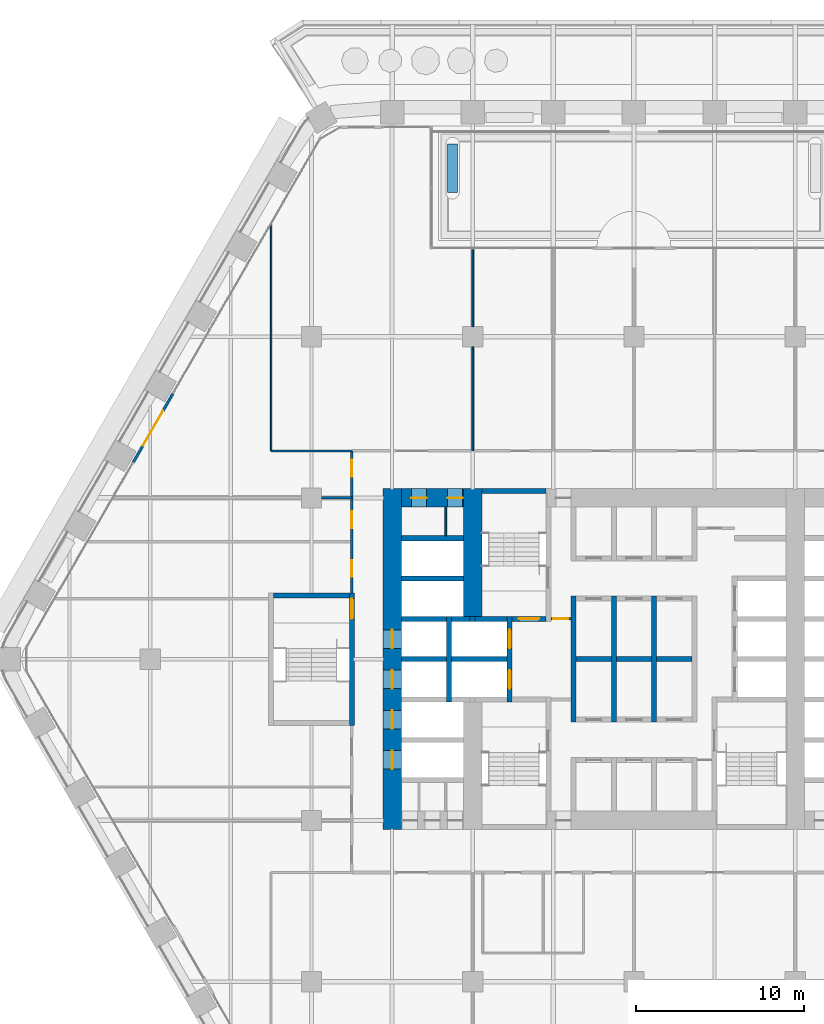
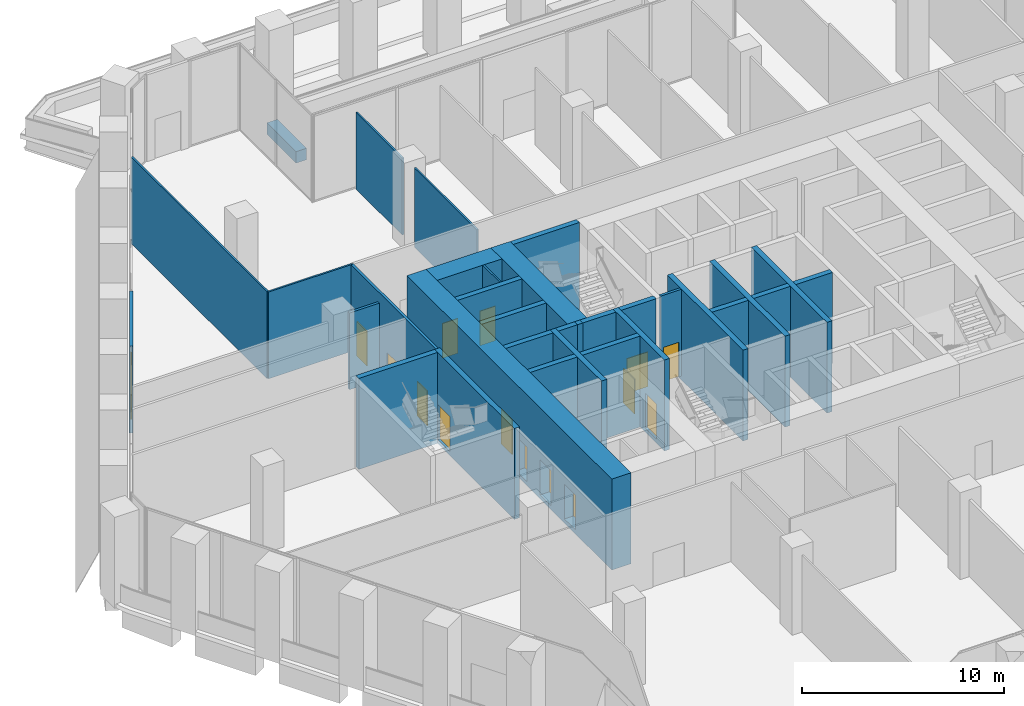
# One storey, part 21 of 30: 33 walls, 15 doors, 15 openings.
"""IFC4 building model written with IfcOpenShell, lengths in metres."""

from ifc_helpers import new_model, si_unit, direction, frame, frame_2d, origin, place, context, subcontext, project, spatial, rectangle, extrude, material, layer, layer_set, type_object, element, fill, save


model = new_model("IFC4")

# Units and contexts
model_context = context("Model", 3, precision=1e-05, world=origin(), true_north=direction((0.0, 1.0)))
body_context = subcontext(model_context, "Body", "Model", "MODEL_VIEW")
ifc_project = project(units=[si_unit("LENGTHUNIT", "METRE"), si_unit("AREAUNIT", "SQUARE_METRE"), si_unit("VOLUMEUNIT", "CUBIC_METRE"), si_unit("PLANEANGLEUNIT", "RADIAN"), si_unit("MASSUNIT", "GRAM", prefix="KILO")], contexts=[model_context])

# Site, building, storey
site_placement = place(None, origin())
site = spatial("IfcSite", under=ifc_project, at=site_placement, CompositionType="ELEMENT")
building_placement = place(site_placement, origin())
building = spatial("IfcBuilding", under=site, at=building_placement, Name="Kolab Exchange Tower", CompositionType="ELEMENT")
storey_placement = place(building_placement, frame((0.0, 0.0, 38.89990234375)))
storey = spatial("IfcBuildingStorey", under=building, at=storey_placement, Name="L07", CompositionType="ELEMENT", Elevation=38.89990234375)

# Wall, openings, doors
ifc_material_1 = material(Name="Concrete C80/95", Category="concrete")
ifc_layer_1 = layer(ifc_material_1, 1.10009765625)
ifc_layer_set_1 = layer_set([ifc_layer_1], Name="Concrete C80/95")
wall_type_1 = type_object("IfcWallType", Name="CORE WALL 1100 C80/95", PredefinedType="SHEAR", material=ifc_layer_set_1)
wall_1_placement = place(storey_placement, frame((-13.85009765625, 9.60009765625, -0.25), z_axis=(0.0, 0.0, 1.0), x_axis=(1.0, 0.0, 0.0)))
wall_1 = element("IfcWall", 1, at=wall_1_placement, inside=storey, type_object=wall_type_1, Name="wall/L07/core/051", PredefinedType="SHEAR", context=body_context, shape_type="SweptSolid", body=[
    extrude(rectangle(XDim=3.7001953125, YDim=1.10009765625, at=frame_2d((1.85009765625, 0.0))), origin(), (0.0, 0.0, 1.0), 5.5),
])
opening_1_placement = place(wall_1_placement, frame((0.60009765625, 0.0, 0.25)))
opening_1 = element("IfcOpeningElement", 2, at=opening_1_placement, cuts=wall_1, Name="Opening D6-108", PredefinedType="OPENING", context=body_context, shape_type="SweptSolid", body=[
    extrude(rectangle(XDim=0.89990234375, YDim=2.10009765625, at=frame_2d((0.449951171875, 1.050048828125))), frame((0.0, 0.56005859375, 0.0), z_axis=(0.0, -1.0, 0.0), x_axis=(1.0, 0.0, 0.0)), (0.0, 0.0, 1.0), 1.1201171875),
])
opening_2_placement = place(wall_1_placement, frame((2.75, 0.0, 0.25)))
opening_2 = element("IfcOpeningElement", 3, at=opening_2_placement, cuts=wall_1, Name="Opening D6-109", PredefinedType="OPENING", context=body_context, shape_type="SweptSolid", body=[
    extrude(rectangle(XDim=0.89990234375, YDim=2.10009765625, at=frame_2d((0.449951171875, 1.050048828125))), frame((0.0, 0.56005859375, 0.0), z_axis=(0.0, -1.0, 0.0), x_axis=(1.0, 0.0, 0.0)), (0.0, 0.0, 1.0), 1.1201171875),
])
ifc_material_2 = material(Name="Steel S235", Category="steel")
door_type_1 = type_object("IfcDoorType", Name="CORE DOOR 900 EI 120", OperationType="SINGLE_SWING_LEFT", PredefinedType="DOOR", material=ifc_material_2)
door_1_placement = place(opening_1_placement, frame((0.89990234375, 0.0, 0.0), z_axis=(0.0, 0.0, 1.0), x_axis=(-1.0, 0.0, 0.0)))
door_1 = element("IfcDoor", 4, at=door_1_placement, inside=storey, type_object=door_type_1, Name="Service room door", OperationType="SINGLE_SWING_RIGHT", OverallHeight=2.10009765625, OverallWidth=0.89990234375, PredefinedType="DOOR", context=body_context, shape_type="SweptSolid", body=[
    extrude(rectangle(XDim=0.89990234375, YDim=2.10009765625, at=frame_2d((0.449951171875, 1.050048828125))), frame((0.0, 0.02490234375, 0.0), z_axis=(0.0, -1.0, 0.0), x_axis=(1.0, 0.0, 0.0)), (0.0, 0.0, 1.0), 0.050048828125),
])
fill(opening_1, door_1)
door_2_placement = place(opening_2_placement, frame((0.89990234375, 0.0, 0.0), z_axis=(0.0, 0.0, 1.0), x_axis=(-1.0, 0.0, 0.0)))
door_2 = element("IfcDoor", 5, at=door_2_placement, inside=storey, type_object=door_type_1, Name="Service room door", OperationType="SINGLE_SWING_LEFT", OverallHeight=2.10009765625, OverallWidth=0.89990234375, PredefinedType="DOOR", context=body_context, shape_type="SweptSolid", body=[
    extrude(rectangle(XDim=0.89990234375, YDim=2.10009765625, at=frame_2d((0.449951171875, 1.050048828125))), frame((0.0, 0.02490234375, 0.0), z_axis=(0.0, -1.0, 0.0), x_axis=(1.0, 0.0, 0.0)), (0.0, 0.0, 1.0), 0.050048828125),
])
fill(opening_2, door_2)

wall_2_placement = place(storey_placement, frame((-14.39990234375, -10.14990234375, -0.25), z_axis=(0.0, 0.0, 1.0), x_axis=(0.0, 1.0, 0.0)))
wall_2 = element("IfcWall", 6, at=wall_2_placement, inside=storey, type_object=wall_type_1, Name="wall/L07/core/057", PredefinedType="SHEAR", context=body_context, shape_type="SweptSolid", body=[
    extrude(rectangle(XDim=20.2998046875, YDim=1.10009765625, at=frame_2d((10.14990234375, 0.0))), origin(), (0.0, 0.0, 1.0), 5.5),
])
opening_3_placement = place(wall_2_placement, frame((3.60009765625, 0.0, 0.25)))
opening_3 = element("IfcOpeningElement", 7, at=opening_3_placement, cuts=wall_2, Name="Opening LD1-041", PredefinedType="OPENING", context=body_context, shape_type="SweptSolid", body=[
    extrude(rectangle(XDim=1.10009765625, YDim=2.10009765625, at=frame_2d((0.550048828125, 1.050048828125))), frame((0.0, 0.56005859375, 0.0), z_axis=(0.0, -1.0, 0.0), x_axis=(1.0, 0.0, 0.0)), (0.0, 0.0, 1.0), 1.1201171875),
])
opening_4_placement = place(wall_2_placement, frame((6.0, 0.0, 0.25)))
opening_4 = element("IfcOpeningElement", 8, at=opening_4_placement, cuts=wall_2, Name="Opening LD1-042", PredefinedType="OPENING", context=body_context, shape_type="SweptSolid", body=[
    extrude(rectangle(XDim=1.10009765625, YDim=2.10009765625, at=frame_2d((0.550048828125, 1.050048828125))), frame((0.0, 0.56005859375, 0.0), z_axis=(0.0, -1.0, 0.0), x_axis=(1.0, 0.0, 0.0)), (0.0, 0.0, 1.0), 1.1201171875),
])
opening_5_placement = place(wall_2_placement, frame((8.39990234375, 0.0, 0.25)))
opening_5 = element("IfcOpeningElement", 9, at=opening_5_placement, cuts=wall_2, Name="Opening LD1-043", PredefinedType="OPENING", context=body_context, shape_type="SweptSolid", body=[
    extrude(rectangle(XDim=1.10009765625, YDim=2.10009765625, at=frame_2d((0.550048828125, 1.050048828125))), frame((0.0, 0.56005859375, 0.0), z_axis=(0.0, -1.0, 0.0), x_axis=(1.0, 0.0, 0.0)), (0.0, 0.0, 1.0), 1.1201171875),
])
opening_6_placement = place(wall_2_placement, frame((10.800048828125, 0.0, 0.25)))
opening_6 = element("IfcOpeningElement", 10, at=opening_6_placement, cuts=wall_2, Name="Opening LD1-044", PredefinedType="OPENING", context=body_context, shape_type="SweptSolid", body=[
    extrude(rectangle(XDim=1.10009765625, YDim=2.10009765625, at=frame_2d((0.550048828125, 1.050048828125))), frame((0.0, 0.56005859375, 0.0), z_axis=(0.0, -1.0, 0.0), x_axis=(1.0, 0.0, 0.0)), (0.0, 0.0, 1.0), 1.1201171875),
])
ifc_material_3 = material(Name="Stainless steel 316", Category="steel")
door_type_2 = type_object("IfcDoorType", Name="LANDING DOOR 1100 PASSENGER", OperationType="DOUBLE_DOOR_SLIDING", PredefinedType="DOOR", material=ifc_material_3)
door_3_placement = place(opening_3_placement, origin())
door_3 = element("IfcDoor", 11, at=door_3_placement, inside=storey, type_object=door_type_2, Name="Landing door LR5", OperationType="DOUBLE_DOOR_SLIDING", OverallHeight=2.10009765625, OverallWidth=1.10009765625, PredefinedType="DOOR", context=body_context, shape_type="SweptSolid", body=[
    extrude(rectangle(XDim=1.10009765625, YDim=2.10009765625, at=frame_2d((0.550048828125, 1.050048828125))), frame((0.0, 0.02490234375, 0.0), z_axis=(0.0, -1.0, 0.0), x_axis=(1.0, 0.0, 0.0)), (0.0, 0.0, 1.0), 0.050048828125),
])
fill(opening_3, door_3)
door_4_placement = place(opening_4_placement, origin())
door_4 = element("IfcDoor", 12, at=door_4_placement, inside=storey, type_object=door_type_2, Name="Landing door LR6", OperationType="DOUBLE_DOOR_SLIDING", OverallHeight=2.10009765625, OverallWidth=1.10009765625, PredefinedType="DOOR", context=body_context, shape_type="SweptSolid", body=[
    extrude(rectangle(XDim=1.10009765625, YDim=2.10009765625, at=frame_2d((0.550048828125, 1.050048828125))), frame((0.0, 0.02490234375, 0.0), z_axis=(0.0, -1.0, 0.0), x_axis=(1.0, 0.0, 0.0)), (0.0, 0.0, 1.0), 0.050048828125),
])
fill(opening_4, door_4)
door_5_placement = place(opening_5_placement, origin())
door_5 = element("IfcDoor", 13, at=door_5_placement, inside=storey, type_object=door_type_2, Name="Landing door LR7", OperationType="DOUBLE_DOOR_SLIDING", OverallHeight=2.10009765625, OverallWidth=1.10009765625, PredefinedType="DOOR", context=body_context, shape_type="SweptSolid", body=[
    extrude(rectangle(XDim=1.10009765625, YDim=2.10009765625, at=frame_2d((0.550048828125, 1.050048828125))), frame((0.0, 0.02490234375, 0.0), z_axis=(0.0, -1.0, 0.0), x_axis=(1.0, 0.0, 0.0)), (0.0, 0.0, 1.0), 0.050048828125),
])
fill(opening_5, door_5)
door_6_placement = place(opening_6_placement, origin())
door_6 = element("IfcDoor", 14, at=door_6_placement, inside=storey, type_object=door_type_2, Name="Landing door LR8", OperationType="DOUBLE_DOOR_SLIDING", OverallHeight=2.10009765625, OverallWidth=1.10009765625, PredefinedType="DOOR", context=body_context, shape_type="SweptSolid", body=[
    extrude(rectangle(XDim=1.10009765625, YDim=2.10009765625, at=frame_2d((0.550048828125, 1.050048828125))), frame((0.0, 0.02490234375, 0.0), z_axis=(0.0, -1.0, 0.0), x_axis=(1.0, 0.0, 0.0)), (0.0, 0.0, 1.0), 0.050048828125),
])
fill(opening_6, door_6)

# Wall
wall_3_placement = place(storey_placement, frame((-9.60009765625, 2.550048828125, -0.25), z_axis=(0.0, 0.0, 1.0), x_axis=(0.0, 1.0, 0.0)))
element("IfcWall", 15, at=wall_3_placement, inside=storey, type_object=wall_type_1, Name="wall/L07/core/062", PredefinedType="SHEAR", context=body_context, shape_type="SweptSolid", body=[
    extrude(rectangle(XDim=7.599853515625, YDim=1.10009765625, at=frame_2d((3.7998046875, 0.0))), origin(), (0.0, 0.0, 1.0), 5.5),
])

# Wall, opening, door
ifc_material_4 = material(Name="Aluminium EN AW-6063 T6", Category="aluminium")
ifc_layer_2 = layer(ifc_material_4, 0.159912109375)
ifc_layer_set_2 = layer_set([ifc_layer_2], Name="Aluminium EN AW-6063 T6")
wall_type_2 = type_object("IfcWallType", Name="DOOR SURROUND WALL 160 ALUMINIUM FRAMED", PredefinedType="PARTITIONING", material=ifc_layer_set_2)
wall_4_placement = place(storey_placement, frame((-29.816650390625, 11.706787109375, 0.0), z_axis=(0.0, 0.0, 1.0), x_axis=(0.499978080042, 0.866038058908, 0.0)))
wall_4 = element("IfcWall", 16, at=wall_4_placement, inside=storey, type_object=wall_type_2, Name="Door surround wall", PredefinedType="PARTITIONING", context=body_context, shape_type="SweptSolid", body=[
    extrude(rectangle(XDim=4.739990234375, YDim=0.159912109375, at=frame_2d((2.3701171875, 0.0))), origin(), (0.0, 0.0, 1.0), 5.25),
])
opening_7_placement = place(wall_4_placement, frame((1.169921875, 0.0, 0.0)))
opening_7 = element("IfcOpeningElement", 17, at=opening_7_placement, cuts=wall_4, Name="Opening GD1-022", PredefinedType="OPENING", context=body_context, shape_type="SweptSolid", body=[
    extrude(rectangle(XDim=2.39990234375, YDim=2.39990234375, at=frame_2d((1.199951171875, 1.199951171875))), frame((0.0, 0.08984375, 0.0), z_axis=(0.0, -1.0, 0.0), x_axis=(1.0, 0.0, 0.0)), (0.0, 0.0, 1.0), 0.179931640625),
])
door_type_3 = type_object("IfcDoorType", Name="LOGGIA SLIDING GLASS DOOR 2400 X 2400", OperationType="DOUBLE_DOOR_SINGLE_SWING", PredefinedType="DOOR", material=ifc_material_4)
door_7_placement = place(opening_7_placement, origin())
door_7 = element("IfcDoor", 18, at=door_7_placement, inside=storey, type_object=door_type_3, Name="Loggia door", OperationType="DOUBLE_DOOR_SLIDING", OverallHeight=2.39990234375, OverallWidth=2.39990234375, PredefinedType="DOOR", context=body_context, shape_type="SweptSolid", body=[
    extrude(rectangle(XDim=2.39990234375, YDim=2.39990234375, at=frame_2d((1.199951171875, 1.199951171875))), frame((0.0, 0.02490234375, 0.0), z_axis=(0.0, -1.0, 0.0), x_axis=(1.0, 0.0, 0.0)), (0.0, 0.0, 1.0), 0.050048828125),
])
fill(opening_7, door_7)

# Walls
ifc_material_5 = material(Name="Concrete C50/60", Category="concrete")
ifc_layer_3 = layer(ifc_material_5, 0.300048828125)
ifc_layer_set_3 = layer_set([ifc_layer_3], Name="Concrete C50/60")
wall_type_3 = type_object("IfcWallType", Name="LIFT SHAFT WALL 300 C50/60", PredefinedType="STANDARD", material=ifc_layer_set_3)
wall_5_placement = place(storey_placement, frame((-13.85009765625, 0.0, -0.25), z_axis=(0.0, 0.0, 1.0), x_axis=(1.0, 0.0, 0.0)))
element("IfcWall", 19, at=wall_5_placement, inside=storey, type_object=wall_type_3, Name="wall/L07/core/024", PredefinedType="STANDARD", context=body_context, shape_type="SweptSolid", body=[
    extrude(rectangle(XDim=2.7001953125, YDim=0.300048828125, at=frame_2d((1.35009765625, 0.0))), origin(), (0.0, 0.0, 1.0), 5.5),
])
wall_6_placement = place(storey_placement, frame((-10.85009765625, 0.0, -0.25), z_axis=(0.0, 0.0, 1.0), x_axis=(1.0, 0.0, 0.0)))
element("IfcWall", 20, at=wall_6_placement, inside=storey, type_object=wall_type_3, Name="wall/L07/core/025", PredefinedType="STANDARD", context=body_context, shape_type="SweptSolid", body=[
    extrude(rectangle(XDim=3.300048828125, YDim=0.300048828125, at=frame_2d((1.64990234375, 0.0))), origin(), (0.0, 0.0, 1.0), 5.5),
])
wall_7_placement = place(storey_placement, frame((-3.449951171875, 0.0, -0.25), z_axis=(0.0, 0.0, 1.0), x_axis=(1.0, 0.0, 0.0)))
element("IfcWall", 21, at=wall_7_placement, inside=storey, type_object=wall_type_3, Name="wall/L07/core/026", PredefinedType="STANDARD", context=body_context, shape_type="SweptSolid", body=[
    extrude(rectangle(XDim=2.099853515625, YDim=0.300048828125, at=frame_2d((1.0498046875, 0.0))), origin(), (0.0, 0.0, 1.0), 5.5),
])
wall_8_placement = place(storey_placement, frame((-1.050048828125, 0.0, -0.25), z_axis=(0.0, 0.0, 1.0), x_axis=(1.0, 0.0, 0.0)))
element("IfcWall", 22, at=wall_8_placement, inside=storey, type_object=wall_type_3, Name="wall/L07/core/027", PredefinedType="STANDARD", context=body_context, shape_type="SweptSolid", body=[
    extrude(rectangle(XDim=2.10009765625, YDim=0.300048828125, at=frame_2d((1.050048828125, 0.0))), origin(), (0.0, 0.0, 1.0), 5.5),
])
wall_9_placement = place(storey_placement, frame((1.35009765625, 0.0, -0.25), z_axis=(0.0, 0.0, 1.0), x_axis=(1.0, 0.0, 0.0)))
element("IfcWall", 23, at=wall_9_placement, inside=storey, type_object=wall_type_3, Name="wall/L07/core/028", PredefinedType="STANDARD", context=body_context, shape_type="SweptSolid", body=[
    extrude(rectangle(XDim=2.099853515625, YDim=0.300048828125, at=frame_2d((1.0498046875, 0.0))), origin(), (0.0, 0.0, 1.0), 5.5),
])
wall_10_placement = place(storey_placement, frame((-13.85009765625, 2.39990234375, -0.25), z_axis=(0.0, 0.0, 1.0), x_axis=(1.0, 0.0, 0.0)))
element("IfcWall", 24, at=wall_10_placement, inside=storey, type_object=wall_type_3, Name="wall/L07/core/031", PredefinedType="STANDARD", context=body_context, shape_type="SweptSolid", body=[
    extrude(rectangle(XDim=2.7001953125, YDim=0.300048828125, at=frame_2d((1.35009765625, 0.0))), origin(), (0.0, 0.0, 1.0), 5.5),
])
wall_11_placement = place(storey_placement, frame((-10.85009765625, 2.39990234375, -0.25), z_axis=(0.0, 0.0, 1.0), x_axis=(1.0, 0.0, 0.0)))
element("IfcWall", 25, at=wall_11_placement, inside=storey, type_object=wall_type_3, Name="wall/L07/core/032", PredefinedType="STANDARD", context=body_context, shape_type="SweptSolid", body=[
    extrude(rectangle(XDim=1.10009765625, YDim=0.300048828125, at=frame_2d((0.550048828125, 0.0))), origin(), (0.0, 0.0, 1.0), 5.5),
])
for number, where, z_axis, x_axis, name in (
    (26, (-13.85009765625, 4.800048828125, -0.25), (0.0, 0.0, 1.0), (1.0, 0.0, 0.0), "wall/L07/core/042"),
    (27, (-13.85009765625, 7.199951171875, -0.25), (0.0, 0.0, 1.0), (1.0, 0.0, 0.0), "wall/L07/core/048"),
):
    element("IfcWall", number, at=place(storey_placement, frame(where, z_axis=z_axis, x_axis=x_axis)), inside=storey, type_object=wall_type_3, Name=name, PredefinedType="STANDARD", context=body_context, shape_type="SweptSolid", body=[
        extrude(rectangle(XDim=3.7001953125, YDim=0.300048828125, at=frame_2d((1.85009765625, 0.0))), origin(), (0.0, 0.0, 1.0), 5.5),
    ])
wall_12_placement = place(storey_placement, frame((-11.0, -2.550048828125, -0.25), z_axis=(0.0, 0.0, 1.0), x_axis=(0.0, 1.0, 0.0)))
element("IfcWall", 28, at=wall_12_placement, inside=storey, type_object=wall_type_3, Name="wall/L07/core/058", PredefinedType="STANDARD", context=body_context, shape_type="SweptSolid", body=[
    extrude(rectangle(XDim=5.10009765625, YDim=0.300048828125, at=frame_2d((2.550048828125, 0.0))), origin(), (0.0, 0.0, 1.0), 5.5),
])

# Wall, openings, doors
wall_13_placement = place(storey_placement, frame((-7.39990234375, -2.550048828125, -0.25), z_axis=(0.0, 0.0, 1.0), x_axis=(0.0, 1.0, 0.0)))
wall_13 = element("IfcWall", 29, at=wall_13_placement, inside=storey, type_object=wall_type_3, Name="wall/L07/core/063", PredefinedType="STANDARD", context=body_context, shape_type="SweptSolid", body=[
    extrude(rectangle(XDim=5.10009765625, YDim=0.300048828125, at=frame_2d((2.550048828125, 0.0))), origin(), (0.0, 0.0, 1.0), 5.5),
])
opening_8_placement = place(wall_13_placement, frame((0.800048828125, 0.0, 0.25)))
opening_8 = element("IfcOpeningElement", 30, at=opening_8_placement, cuts=wall_13, Name="Opening LD2-009", PredefinedType="OPENING", context=body_context, shape_type="SweptSolid", body=[
    extrude(rectangle(XDim=1.10009765625, YDim=2.10009765625, at=frame_2d((0.550048828125, 1.050048828125))), frame((0.0, 0.16015625, 0.0), z_axis=(0.0, -1.0, 0.0), x_axis=(1.0, 0.0, 0.0)), (0.0, 0.0, 1.0), 0.320068359375),
])
opening_9_placement = place(wall_13_placement, frame((3.199951171875, 0.0, 0.25)))
opening_9 = element("IfcOpeningElement", 31, at=opening_9_placement, cuts=wall_13, Name="Opening LD2-010", PredefinedType="OPENING", context=body_context, shape_type="SweptSolid", body=[
    extrude(rectangle(XDim=1.10009765625, YDim=2.10009765625, at=frame_2d((0.550048828125, 1.050048828125))), frame((0.0, 0.16015625, 0.0), z_axis=(0.0, -1.0, 0.0), x_axis=(1.0, 0.0, 0.0)), (0.0, 0.0, 1.0), 0.320068359375),
])
door_type_4 = type_object("IfcDoorType", Name="LANDING DOOR 1100 FIREFIGHTING", OperationType="DOUBLE_DOOR_SLIDING", PredefinedType="DOOR", material=ifc_material_3)
door_8_placement = place(opening_8_placement, origin())
door_8 = element("IfcDoor", 32, at=door_8_placement, inside=storey, type_object=door_type_4, Name="Landing door FF1", OperationType="DOUBLE_DOOR_SLIDING", OverallHeight=2.10009765625, OverallWidth=1.10009765625, PredefinedType="DOOR", context=body_context, shape_type="SweptSolid", body=[
    extrude(rectangle(XDim=1.10009765625, YDim=2.10009765625, at=frame_2d((0.550048828125, 1.050048828125))), frame((0.0, 0.02490234375, 0.0), z_axis=(0.0, -1.0, 0.0), x_axis=(1.0, 0.0, 0.0)), (0.0, 0.0, 1.0), 0.050048828125),
])
fill(opening_8, door_8)
door_9_placement = place(opening_9_placement, origin())
door_9 = element("IfcDoor", 33, at=door_9_placement, inside=storey, type_object=door_type_4, Name="Landing door FF2", OperationType="DOUBLE_DOOR_SLIDING", OverallHeight=2.10009765625, OverallWidth=1.10009765625, PredefinedType="DOOR", context=body_context, shape_type="SweptSolid", body=[
    extrude(rectangle(XDim=1.10009765625, YDim=2.10009765625, at=frame_2d((0.550048828125, 1.050048828125))), frame((0.0, 0.02490234375, 0.0), z_axis=(0.0, -1.0, 0.0), x_axis=(1.0, 0.0, 0.0)), (0.0, 0.0, 1.0), 0.050048828125),
])
fill(opening_9, door_9)

# Walls
for number, where, z_axis, x_axis, name in (
    (34, (-3.60009765625, -3.75, -0.25), (0.0, 0.0, 1.0), (0.0, 1.0, 0.0), "wall/L07/core/067"),
    (35, (-1.199951171875, -3.75, -0.25), (0.0, 0.0, 1.0), (0.0, 1.0, 0.0), "wall/L07/core/070"),
    (36, (1.199951171875, -3.75, -0.25), (0.0, 0.0, 1.0), (0.0, 1.0, 0.0), "wall/L07/core/073"),
):
    element("IfcWall", number, at=place(storey_placement, frame(where, z_axis=z_axis, x_axis=x_axis)), inside=storey, type_object=wall_type_3, Name=name, PredefinedType="STANDARD", context=body_context, shape_type="SweptSolid", body=[
        extrude(rectangle(XDim=7.5, YDim=0.300048828125, at=frame_2d((3.75, 0.0))), origin(), (0.0, 0.0, 1.0), 5.5),
    ])
ifc_material_6 = material(Name="Gypsum board", Category="gypsum")
ifc_layer_4 = layer(ifc_material_6, 0.10009765625)
ifc_layer_set_4 = layer_set([ifc_layer_4], Name="Gypsum board")
wall_type_4 = type_object("IfcWallType", Name="PARTITION 100", PredefinedType="PARTITIONING", material=ifc_layer_set_4)
wall_14_placement = place(storey_placement, frame((-9.60009765625, 12.39990234375, 0.0), z_axis=(0.0, 0.0, 1.0), x_axis=(0.0, 1.0, 0.0)))
element("IfcWall", 37, at=wall_14_placement, inside=storey, type_object=wall_type_4, Name="Partition 021", PredefinedType="PARTITIONING", context=body_context, shape_type="SweptSolid", body=[
    extrude(rectangle(XDim=6.2001953125, YDim=0.10009765625, at=frame_2d((3.10009765625, 0.0))), origin(), (0.0, 0.0, 1.0), 4.793212890625),
])
wall_15_placement = place(storey_placement, frame((-9.60009765625, 19.800048828125, 0.0), z_axis=(0.0, 0.0, 1.0), x_axis=(0.0, 1.0, 0.0)))
element("IfcWall", 38, at=wall_15_placement, inside=storey, type_object=wall_type_4, Name="Partition 022", PredefinedType="PARTITIONING", context=body_context, shape_type="SweptSolid", body=[
    extrude(rectangle(XDim=4.58544921875, YDim=0.10009765625, at=frame_2d((2.292724609375, 0.0))), origin(), (0.0, 0.0, 1.0), 4.64208984375),
])
wall_16_placement = place(storey_placement, frame((-11.199951171875, 7.35009765625, 0.0), z_axis=(0.0, 0.0, 1.0), x_axis=(0.0, 1.0, 0.0)))
element("IfcWall", 39, at=wall_16_placement, inside=storey, type_object=wall_type_4, Name="Partition 024", PredefinedType="PARTITIONING", context=body_context, shape_type="SweptSolid", body=[
    extrude(rectangle(XDim=1.699951171875, YDim=0.10009765625, at=frame_2d((0.85009765625, 0.0))), origin(), (0.0, 0.0, 1.0), 5.25),
])
wall_17_placement = place(storey_placement, frame((-21.60009765625, 12.39990234375, 0.0), z_axis=(0.0, 0.0, 1.0), x_axis=(0.0, 1.0, 0.0)))
element("IfcWall", 40, at=wall_17_placement, inside=storey, type_object=wall_type_4, Name="Partition 029", PredefinedType="PARTITIONING", context=body_context, shape_type="SweptSolid", body=[
    extrude(rectangle(XDim=13.45849609375, YDim=0.10009765625, at=frame_2d((6.729248046875, 0.0))), origin(), (0.0, 0.0, 1.0), 5.25),
])
wall_18_placement = place(storey_placement, frame((-21.60009765625, 12.39990234375, 0.0), z_axis=(0.0, 0.0, 1.0), x_axis=(1.0, 0.0, 0.0)))
element("IfcWall", 41, at=wall_18_placement, inside=storey, type_object=wall_type_4, Name="Partition 048", PredefinedType="PARTITIONING", context=body_context, shape_type="SweptSolid", body=[
    extrude(rectangle(XDim=4.800048828125, YDim=0.10009765625, at=frame_2d((2.39990234375, 0.0))), origin(), (0.0, 0.0, 1.0), 5.25),
])

# Wall, openings, doors
ifc_layer_5 = layer(ifc_material_6, 0.14990234375)
ifc_layer_set_5 = layer_set([ifc_layer_5], Name="Gypsum board")
wall_type_5 = type_object("IfcWallType", Name="PARTITION 150 FIRE-RATED", PredefinedType="PARTITIONING", material=ifc_layer_set_5)
wall_19_placement = place(storey_placement, frame((-16.800048828125, 3.949951171875, 0.0), z_axis=(0.0, 0.0, 1.0), x_axis=(0.0, 1.0, 0.0)))
wall_19 = element("IfcWall", 42, at=wall_19_placement, inside=storey, type_object=wall_type_5, Name="Partition 027", PredefinedType="PARTITIONING", context=body_context, shape_type="SweptSolid", body=[
    extrude(rectangle(XDim=8.449951171875, YDim=0.14990234375, at=frame_2d((4.22509765625, 0.0))), origin(), (0.0, 0.0, 1.0), 5.25),
])
opening_10_placement = place(wall_19_placement, frame((0.949951171875, 0.0, 0.0)))
opening_10 = element("IfcOpeningElement", 43, at=opening_10_placement, cuts=wall_19, Name="Opening D1-106", PredefinedType="OPENING", context=body_context, shape_type="SweptSolid", body=[
    extrude(rectangle(XDim=1.0, YDim=2.10009765625, at=frame_2d((0.5, 1.050048828125))), frame((0.0, 0.0849609375, 0.0), z_axis=(0.0, -1.0, 0.0), x_axis=(1.0, 0.0, 0.0)), (0.0, 0.0, 1.0), 0.169921875),
])
opening_11_placement = place(wall_19_placement, frame((3.85009765625, 0.0, 0.0)))
opening_11 = element("IfcOpeningElement", 44, at=opening_11_placement, cuts=wall_19, Name="Opening D1-107", PredefinedType="OPENING", context=body_context, shape_type="SweptSolid", body=[
    extrude(rectangle(XDim=1.0, YDim=2.10009765625, at=frame_2d((0.5, 1.050048828125))), frame((0.0, 0.0849609375, 0.0), z_axis=(0.0, -1.0, 0.0), x_axis=(1.0, 0.0, 0.0)), (0.0, 0.0, 1.0), 0.169921875),
])
opening_12_placement = place(wall_19_placement, frame((6.925048828125, 0.0, 0.0)))
opening_12 = element("IfcOpeningElement", 45, at=opening_12_placement, cuts=wall_19, Name="Opening D1-108", PredefinedType="OPENING", context=body_context, shape_type="SweptSolid", body=[
    extrude(rectangle(XDim=1.0, YDim=2.10009765625, at=frame_2d((0.5, 1.050048828125))), frame((0.0, 0.0849609375, 0.0), z_axis=(0.0, -1.0, 0.0), x_axis=(1.0, 0.0, 0.0)), (0.0, 0.0, 1.0), 0.169921875),
])
door_type_5 = type_object("IfcDoorType", Name="FLUSH DOOR 1000 FD60", OperationType="SINGLE_SWING_LEFT", PredefinedType="DOOR", material=ifc_material_2)
door_10_placement = place(opening_10_placement, origin())
door_10 = element("IfcDoor", 46, at=door_10_placement, inside=storey, type_object=door_type_5, Name="Door L07-068", OperationType="SINGLE_SWING_RIGHT", OverallHeight=2.10009765625, OverallWidth=1.0, PredefinedType="DOOR", context=body_context, shape_type="SweptSolid", body=[
    extrude(rectangle(XDim=1.0, YDim=2.10009765625, at=frame_2d((0.5, 1.050048828125))), frame((0.0, 0.02490234375, 0.0), z_axis=(0.0, -1.0, 0.0), x_axis=(1.0, 0.0, 0.0)), (0.0, 0.0, 1.0), 0.050048828125),
])
fill(opening_10, door_10)
door_11_placement = place(opening_11_placement, origin())
door_11 = element("IfcDoor", 47, at=door_11_placement, inside=storey, type_object=door_type_5, Name="Door L07-069", OperationType="SINGLE_SWING_RIGHT", OverallHeight=2.10009765625, OverallWidth=1.0, PredefinedType="DOOR", context=body_context, shape_type="SweptSolid", body=[
    extrude(rectangle(XDim=1.0, YDim=2.10009765625, at=frame_2d((0.5, 1.050048828125))), frame((0.0, 0.02490234375, 0.0), z_axis=(0.0, -1.0, 0.0), x_axis=(1.0, 0.0, 0.0)), (0.0, 0.0, 1.0), 0.050048828125),
])
fill(opening_11, door_11)
door_12_placement = place(opening_12_placement, origin())
door_12 = element("IfcDoor", 48, at=door_12_placement, inside=storey, type_object=door_type_5, Name="Door L07-070", OperationType="SINGLE_SWING_RIGHT", OverallHeight=2.10009765625, OverallWidth=1.0, PredefinedType="DOOR", context=body_context, shape_type="SweptSolid", body=[
    extrude(rectangle(XDim=1.0, YDim=2.10009765625, at=frame_2d((0.5, 1.050048828125))), frame((0.0, 0.02490234375, 0.0), z_axis=(0.0, -1.0, 0.0), x_axis=(1.0, 0.0, 0.0)), (0.0, 0.0, 1.0), 0.050048828125),
])
fill(opening_12, door_12)

# Wall
wall_20_placement = place(storey_placement, frame((-18.60009765625, 9.60009765625, 0.0), z_axis=(0.0, 0.0, 1.0), x_axis=(1.0, 0.0, 0.0)))
element("IfcWall", 49, at=wall_20_placement, inside=storey, type_object=wall_type_5, Name="Partition 045", PredefinedType="PARTITIONING", context=body_context, shape_type="SweptSolid", body=[
    extrude(rectangle(XDim=1.800048828125, YDim=0.14990234375, at=frame_2d((0.89990234375, 0.0))), origin(), (0.0, 0.0, 1.0), 4.64208984375),
])

# Wall, opening, door
wall_21_placement = place(storey_placement, frame((-4.949951171875, 2.39990234375, 0.0), z_axis=(0.0, 0.0, 1.0), x_axis=(1.0, 0.0, 0.0)))
wall_21 = element("IfcWall", 50, at=wall_21_placement, inside=storey, type_object=wall_type_5, Name="Fire partition", PredefinedType="PARTITIONING", context=body_context, shape_type="SweptSolid", body=[
    extrude(rectangle(XDim=1.199951171875, YDim=0.14990234375, at=frame_2d((0.60009765625, 0.0))), origin(), (0.0, 0.0, 1.0), 5.25),
])
opening_13_placement = place(wall_21_placement, frame((0.14990234375, 0.0, 0.0)))
opening_13 = element("IfcOpeningElement", 51, at=opening_13_placement, cuts=wall_21, Name="Opening D6-097", PredefinedType="OPENING", context=body_context, shape_type="SweptSolid", body=[
    extrude(rectangle(XDim=0.89990234375, YDim=2.10009765625, at=frame_2d((0.449951171875, 1.050048828125))), frame((0.0, 0.0849609375, 0.0), z_axis=(0.0, -1.0, 0.0), x_axis=(1.0, 0.0, 0.0)), (0.0, 0.0, 1.0), 0.169921875),
])
door_13_placement = place(opening_13_placement, frame((0.89990234375, 0.0, 0.0), z_axis=(0.0, 0.0, 1.0), x_axis=(-1.0, 0.0, 0.0)))
door_13 = element("IfcDoor", 52, at=door_13_placement, inside=storey, type_object=door_type_1, Name="Firefighting lobby door", OperationType="SINGLE_SWING_RIGHT", OverallHeight=2.10009765625, OverallWidth=0.89990234375, PredefinedType="DOOR", context=body_context, shape_type="SweptSolid", body=[
    extrude(rectangle(XDim=0.89990234375, YDim=2.10009765625, at=frame_2d((0.449951171875, 1.050048828125))), frame((0.0, 0.02490234375, 0.0), z_axis=(0.0, -1.0, 0.0), x_axis=(1.0, 0.0, 0.0)), (0.0, 0.0, 1.0), 0.050048828125),
])
fill(opening_13, door_13)

# Walls
ifc_material_7 = material(Name="Granite facing", Category="masonry")
ifc_layer_6 = layer(ifc_material_7, 0.0400390625)
ifc_material_8 = material(Name="Concrete C40/50 precast", Category="concrete")
ifc_layer_7 = layer(ifc_material_8, 0.56005859375)
ifc_layer_set_6 = layer_set([ifc_layer_6, ifc_layer_7], Name="Concrete C40/50 precast")
wall_type_6 = type_object("IfcWallType", Name="PLANTER BOX 600 X 700 SOIL DEPTH 550", PredefinedType="USERDEFINED", material=ifc_layer_set_6)
wall_22_placement = place(storey_placement, frame((-10.800048828125, 27.79541015625, 0.0), z_axis=(0.0, 0.0, 1.0), x_axis=(0.0, 1.0, 0.0)))
element("IfcWall", 53, at=wall_22_placement, inside=storey, type_object=wall_type_6, Name="Planter", ObjectType="PLANTER", PredefinedType="USERDEFINED", context=body_context, shape_type="SweptSolid", body=[
    extrude(rectangle(XDim=2.8798828125, YDim=0.60009765625, at=frame_2d((1.43994140625, 0.0))), origin(), (0.0, 0.0, 1.0), 0.7001953125),
])
ifc_layer_8 = layer(ifc_material_5, 0.300048828125)
ifc_layer_set_7 = layer_set([ifc_layer_8], Name="Concrete C50/60")
wall_type_7 = type_object("IfcWallType", Name="STAIR ENCLOSURE WALL 300 C50/60", PredefinedType="STANDARD", material=ifc_layer_set_7)
wall_23_placement = place(storey_placement, frame((-9.449951171875, 2.39990234375, -0.25), z_axis=(0.0, 0.0, 1.0), x_axis=(1.0, 0.0, 0.0)))
element("IfcWall", 54, at=wall_23_placement, inside=storey, type_object=wall_type_7, Name="wall/L07/core/033", PredefinedType="STANDARD", context=body_context, shape_type="SweptSolid", body=[
    extrude(rectangle(XDim=1.89990234375, YDim=0.300048828125, at=frame_2d((0.949951171875, 0.0))), origin(), (0.0, 0.0, 1.0), 5.5),
])

# Wall, opening, door
wall_24_placement = place(storey_placement, frame((-7.25, 2.39990234375, -0.25), z_axis=(0.0, 0.0, 1.0), x_axis=(1.0, 0.0, 0.0)))
wall_24 = element("IfcWall", 55, at=wall_24_placement, inside=storey, type_object=wall_type_7, Name="wall/L07/core/034", PredefinedType="STANDARD", context=body_context, shape_type="SweptSolid", body=[
    extrude(rectangle(XDim=2.0, YDim=0.300048828125, at=frame_2d((1.0, 0.0))), origin(), (0.0, 0.0, 1.0), 5.5),
])
opening_14_placement = place(wall_24_placement, frame((0.39990234375, 0.0, 0.25)))
opening_14 = element("IfcOpeningElement", 56, at=opening_14_placement, cuts=wall_24, Name="Opening D4-019", PredefinedType="OPENING", context=body_context, shape_type="SweptSolid", body=[
    extrude(rectangle(XDim=1.199951171875, YDim=2.10009765625, at=frame_2d((0.60009765625, 1.050048828125))), frame((0.0, 0.16015625, 0.0), z_axis=(0.0, -1.0, 0.0), x_axis=(1.0, 0.0, 0.0)), (0.0, 0.0, 1.0), 0.320068359375),
])
door_type_6 = type_object("IfcDoorType", Name="STAIR DOOR 1200 EI 120", OperationType="SINGLE_SWING_LEFT", PredefinedType="DOOR", material=ifc_material_2)
door_14_placement = place(opening_14_placement, origin())
door_14 = element("IfcDoor", 57, at=door_14_placement, inside=storey, type_object=door_type_6, Name="Stair 1 door", OperationType="SINGLE_SWING_RIGHT", OverallHeight=2.10009765625, OverallWidth=1.199951171875, PredefinedType="DOOR", context=body_context, shape_type="SweptSolid", body=[
    extrude(rectangle(XDim=1.199951171875, YDim=2.10009765625, at=frame_2d((0.60009765625, 1.050048828125))), frame((0.0, 0.02490234375, 0.0), z_axis=(0.0, -1.0, 0.0), x_axis=(1.0, 0.0, 0.0)), (0.0, 0.0, 1.0), 0.050048828125),
])
fill(opening_14, door_14)

# Walls
wall_25_placement = place(storey_placement, frame((-21.449951171875, 3.800048828125, -0.25), z_axis=(0.0, 0.0, 1.0), x_axis=(1.0, 0.0, 0.0)))
element("IfcWall", 58, at=wall_25_placement, inside=storey, type_object=wall_type_7, Name="wall/L07/core/040", PredefinedType="STANDARD", context=body_context, shape_type="SweptSolid", body=[
    extrude(rectangle(XDim=4.5, YDim=0.300048828125, at=frame_2d((2.25, 0.0))), origin(), (0.0, 0.0, 1.0), 5.5),
])
wall_26_placement = place(storey_placement, frame((-9.050048828125, 10.0, -0.25), z_axis=(0.0, 0.0, 1.0), x_axis=(1.0, 0.0, 0.0)))
element("IfcWall", 59, at=wall_26_placement, inside=storey, type_object=wall_type_7, Name="wall/L07/core/054", PredefinedType="STANDARD", context=body_context, shape_type="SweptSolid", body=[
    extrude(rectangle(XDim=3.800048828125, YDim=0.300048828125, at=frame_2d((1.89990234375, 0.0))), origin(), (0.0, 0.0, 1.0), 5.5),
])

# Wall, opening, door
wall_27_placement = place(storey_placement, frame((-16.800048828125, -3.949951171875, -0.25), z_axis=(0.0, 0.0, 1.0), x_axis=(0.0, 1.0, 0.0)))
wall_27 = element("IfcWall", 60, at=wall_27_placement, inside=storey, type_object=wall_type_7, Name="wall/L07/core/056", PredefinedType="STANDARD", context=body_context, shape_type="SweptSolid", body=[
    extrude(rectangle(XDim=7.89990234375, YDim=0.300048828125, at=frame_2d((3.949951171875, 0.0))), origin(), (0.0, 0.0, 1.0), 5.5),
])
opening_15_placement = place(wall_27_placement, frame((6.35009765625, 0.0, 0.25)))
opening_15 = element("IfcOpeningElement", 61, at=opening_15_placement, cuts=wall_27, Name="Opening D4-024", PredefinedType="OPENING", context=body_context, shape_type="SweptSolid", body=[
    extrude(rectangle(XDim=1.199951171875, YDim=2.10009765625, at=frame_2d((0.60009765625, 1.050048828125))), frame((0.0, 0.16015625, 0.0), z_axis=(0.0, -1.0, 0.0), x_axis=(1.0, 0.0, 0.0)), (0.0, 0.0, 1.0), 0.320068359375),
])
door_15_placement = place(opening_15_placement, origin())
door_15 = element("IfcDoor", 62, at=door_15_placement, inside=storey, type_object=door_type_6, Name="Stair 5 door", OperationType="SINGLE_SWING_RIGHT", OverallHeight=2.10009765625, OverallWidth=1.199951171875, PredefinedType="DOOR", context=body_context, shape_type="SweptSolid", body=[
    extrude(rectangle(XDim=1.199951171875, YDim=2.10009765625, at=frame_2d((0.60009765625, 1.050048828125))), frame((0.0, 0.02490234375, 0.0), z_axis=(0.0, -1.0, 0.0), x_axis=(1.0, 0.0, 0.0)), (0.0, 0.0, 1.0), 0.050048828125),
])
fill(opening_15, door_15)

# Wall
wall_28_placement = place(storey_placement, frame((-9.60009765625, 2.25, -0.25), z_axis=(0.0, 0.0, 1.0), x_axis=(0.0, 1.0, 0.0)))
element("IfcWall", 63, at=wall_28_placement, inside=storey, type_object=wall_type_7, Name="wall/L07/core/061", PredefinedType="STANDARD", context=body_context, shape_type="SweptSolid", body=[
    extrude(rectangle(XDim=0.300048828125, YDim=0.300048828125, at=frame_2d((0.14990234375, 0.0))), origin(), (0.0, 0.0, 1.0), 5.5),
])

save(model, "model.ifc")
